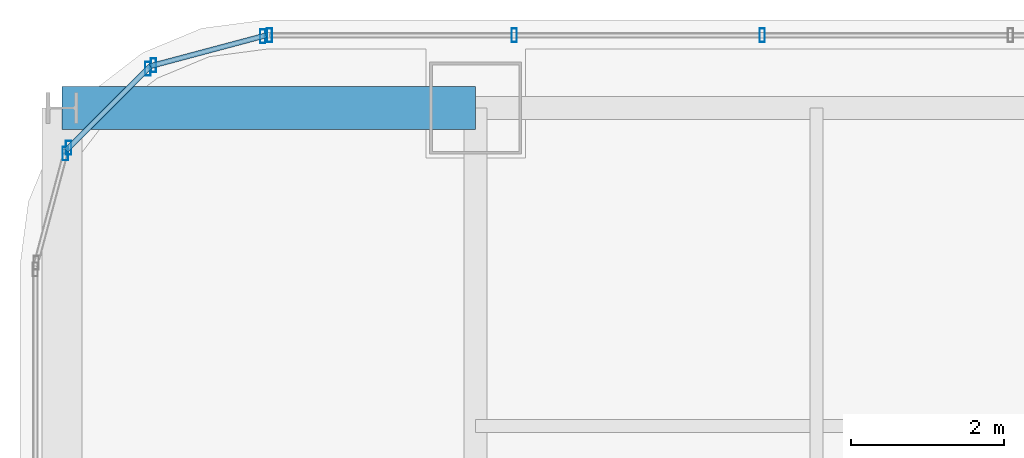
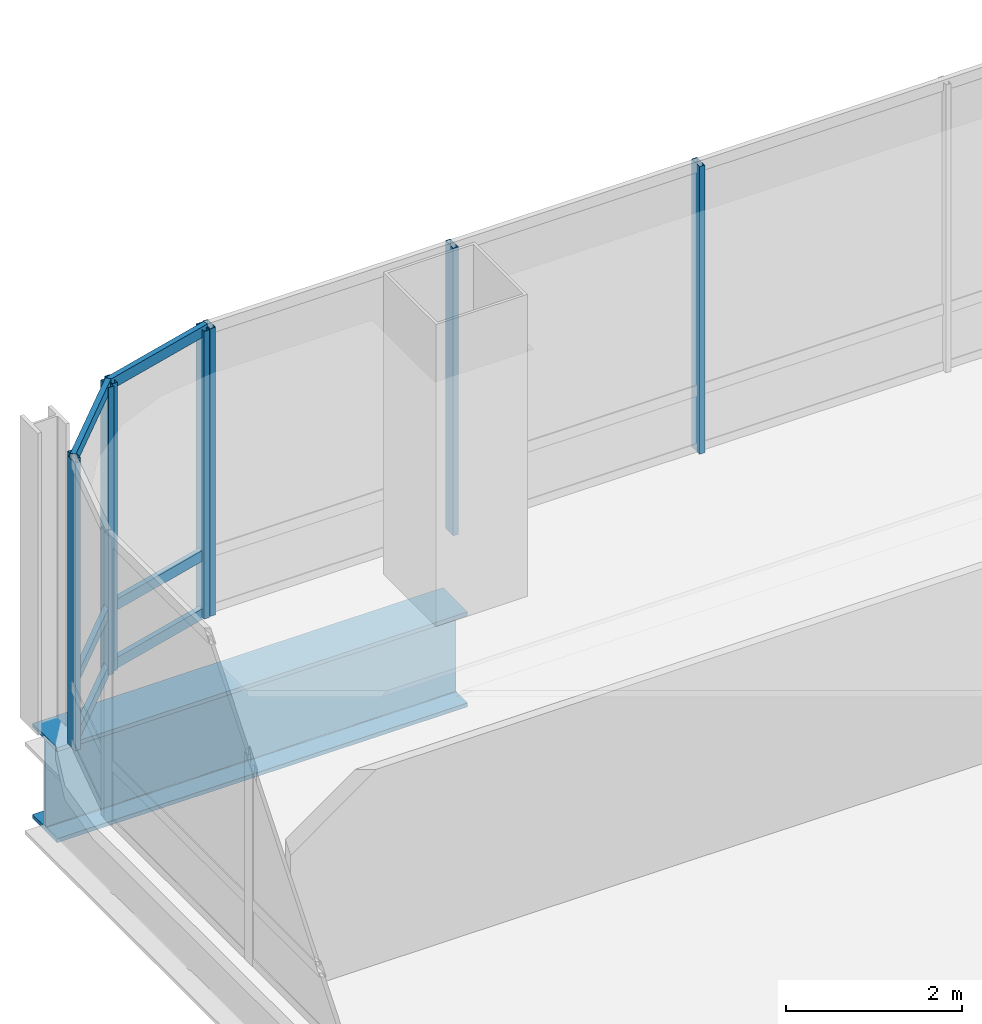
# One storey, part 25 of 43: 14 members, 1 beam, 4 elements without a shape of their own.
"""IFC4 building model written with IfcOpenShell, lengths in metres."""

import ifcopenshell
import ifcopenshell.guid

model = None  # the IFC model being written
_history = None  # IfcOwnerHistory: only IFC2X3 demands one
_inside = {}  # id of a spatial element -> (the spatial element, [elements in it])
_under = {}  # id of a project, library or spatial element -> (it, [spatial elements below it])
_declared = {}  # id of a project -> (the project, [libraries it declares])
_typed = {}  # id of a type object -> (the type object, [elements of that type])
_made_of = {}  # id of a material, layer set ... -> (it, [elements and type objects made of it])


def new_model(schema):
    """Start an empty IFC model of exactly this schema.

    Asked for "IFC4X3", IfcOpenShell would pick the latest addendum, in which some entities
    have other attributes; the version numbers below select the first issue.
    IFC2X3 requires an IfcOwnerHistory on every rooted entity: one is made here for all.
    """
    global model, _history
    if schema == "IFC4X3":
        model = ifcopenshell.file(schema_version=(4, 3, 0, 0))
    else:
        model = ifcopenshell.file(schema=schema)
    _inside.clear()
    _under.clear()
    _declared.clear()
    _typed.clear()
    _made_of.clear()
    _history = None
    if model.schema == "IFC2X3":
        org = make("IfcOrganization", Name="unknown")
        user = make(
            "IfcPersonAndOrganization",
            ThePerson=make("IfcPerson", FamilyName="unknown"),
            TheOrganization=org,
        )
        app = make(
            "IfcApplication",
            ApplicationDeveloper=org,
            Version="unknown",
            ApplicationFullName="unknown",
            ApplicationIdentifier="unknown",
        )
        _history = make(
            "IfcOwnerHistory",
            OwningUser=user,
            OwningApplication=app,
            ChangeAction="ADDED",
            CreationDate=0,
        )
    return model


def make(cls, **values):
    """One entity of the class cls with the attributes given. An attribute that is None is left unset."""
    return model.create_entity(
        cls, **{name: value for name, value in values.items() if value is not None}
    )


def rooted(cls, **values):
    """An entity with a GlobalId (a new one), such as an element, a storey or a relation."""
    return make(cls, GlobalId=ifcopenshell.guid.new(), OwnerHistory=_history, **values)


def si_unit(unit_type, name, prefix=None):
    """IfcSIUnit, for example si_unit("LENGTHUNIT", "METRE", prefix="MILLI")."""
    return make("IfcSIUnit", UnitType=unit_type, Prefix=prefix, Name=name)


def assignment(units):
    """IfcUnitAssignment: the units of a project."""
    return None if units is None else make("IfcUnitAssignment", Units=units)


def point(xyz):
    """IfcCartesianPoint."""
    return None if xyz is None else make("IfcCartesianPoint", Coordinates=xyz)


def direction(xyz):
    """IfcDirection."""
    return None if xyz is None else make("IfcDirection", DirectionRatios=xyz)


def frame(location, z_axis=None, x_axis=None):
    """IfcAxis2Placement3D, a coordinate frame: its origin and axes. An axis left out is left unset."""
    return make(
        "IfcAxis2Placement3D",
        Location=point(location),
        Axis=direction(z_axis),
        RefDirection=direction(x_axis),
    )


def frame_2d(location, x_axis=None):
    """IfcAxis2Placement2D, a coordinate frame in the plane: its origin and x axis."""
    return make(
        "IfcAxis2Placement2D", Location=point(location), RefDirection=direction(x_axis)
    )


def origin():
    """The frame at (0, 0, 0) with its axes left unset."""
    return frame((0.0, 0.0, 0.0))


def origin_2d():
    """The frame at (0, 0) in the plane with its x axis left unset."""
    return frame_2d((0.0, 0.0))


def place(relative_to, where):
    """IfcLocalPlacement: puts the frame where relative to a parent placement (None: the world)."""
    return make(
        "IfcLocalPlacement", PlacementRelTo=relative_to, RelativePlacement=where
    )


def context(
    kind, dimensions, precision=None, world=None, true_north=None, identifier=None
):
    """IfcGeometricRepresentationContext, for example the 3D "Model" context."""
    return make(
        "IfcGeometricRepresentationContext",
        ContextIdentifier=identifier,
        ContextType=kind,
        CoordinateSpaceDimension=dimensions,
        Precision=precision,
        WorldCoordinateSystem=world,
        TrueNorth=true_north,
    )


def subcontext(parent, identifier, kind, view, scale=None):
    """IfcGeometricRepresentationSubContext, for example "Body" below "Model"."""
    return make(
        "IfcGeometricRepresentationSubContext",
        ContextIdentifier=identifier,
        ContextType=kind,
        ParentContext=parent,
        TargetScale=scale,
        TargetView=view,
    )


def project(units=None, contexts=None):
    """IfcProject with its units and contexts."""
    return rooted(
        "IfcProject",
        Name="project",
        RepresentationContexts=contexts,
        UnitsInContext=assignment(units),
    )


def spatial(cls, under=None, at=None, **own):
    """A site, building, storey or space (cls), placed at a placement, below another one or the project."""
    s = rooted(cls, ObjectPlacement=at, **own)
    if under is not None:
        _under.setdefault(under.id(), (under, []))[1].append(s)
    return s


def profile(cls, at=None, kind="AREA", **sizes):
    """A parametric profile (cls). Its sizes go by their IFC names, for example OverallWidth=200.0."""
    return make(cls, ProfileType=kind, Position=at, **sizes)


def hollow_rectangle(**sizes):
    """IfcRectangleHollowProfileDef."""
    return profile("IfcRectangleHollowProfileDef", **sizes)


def i_section(**sizes):
    """IfcIShapeProfileDef."""
    return profile("IfcIShapeProfileDef", **sizes)


def extrude(swept, where, along, depth):
    """IfcExtrudedAreaSolid: the profile swept, set in the frame where, extruded along a direction by depth."""
    return make(
        "IfcExtrudedAreaSolid",
        SweptArea=swept,
        Position=where,
        ExtrudedDirection=direction(along),
        Depth=depth,
    )


def shape(context_of_items, identifier, shape_type, items):
    """IfcShapeRepresentation: the items that make up one representation, for example the "Body"."""
    return make(
        "IfcShapeRepresentation",
        ContextOfItems=context_of_items,
        RepresentationIdentifier=identifier,
        RepresentationType=shape_type,
        Items=items,
    )


def material(Name=None, Category=None):
    """IfcMaterial."""
    return make("IfcMaterial", Name=Name, Category=Category)


def material_profile(
    of_material, cross_section, Name=None, Category=None, Priority=None
):
    """IfcMaterialProfile: a cross section and its material."""
    return make(
        "IfcMaterialProfile",
        Name=Name,
        Material=of_material,
        Profile=cross_section,
        Priority=Priority,
        Category=Category,
    )


def profile_set(profiles, Name=None, composite=None):
    """IfcMaterialProfileSet."""
    return make(
        "IfcMaterialProfileSet",
        Name=Name,
        MaterialProfiles=profiles,
        CompositeProfile=composite,
    )


def made_of(thing, what):
    """Note that an element or type object is made of a material, layer set ...; save() writes the relation."""
    if what is not None:
        _made_of.setdefault(what.id(), (what, []))[1].append(thing)
    return thing


def type_object(cls, material=None, **own):
    """A type object (cls), such as IfcWallType, which elements share."""
    return made_of(rooted(cls, **own), material)


def element(
    cls,
    number,
    at=None,
    inside=None,
    cuts=None,
    type_object=None,
    material=None,
    context=None,
    identifier="Body",
    shape_type=None,
    held_by="IfcProductDefinitionShape",
    body=None,
    shapes=None,
    **own,
):
    """One element of the class cls, such as IfcWall. Its Tag is "e" and its number.

    at: its placement. inside: the storey or other place that contains it. cuts: it is an
    opening in that element (IfcRelVoidsElement). A single representation is given by context,
    identifier, shape_type and body (its items); several are given by shapes. held_by: the class
    of the entity that holds the representations. save() writes the other relations.
    """
    e = rooted(cls, Tag="e%d" % number, ObjectPlacement=at, **own)
    if body is not None:
        shapes = [shape(context, identifier, shape_type, body)]
    if shapes is not None:
        e.Representation = make(held_by, Representations=shapes)
    if inside is not None:
        _inside.setdefault(inside.id(), (inside, []))[1].append(e)
    if cuts is not None:
        rooted(
            "IfcRelVoidsElement", RelatingBuildingElement=cuts, RelatedOpeningElement=e
        )
    if type_object is not None:
        _typed.setdefault(type_object.id(), (type_object, []))[1].append(e)
    return made_of(e, material)


def aggregate(whole, parts):
    """IfcRelAggregates: a whole, such as a stair, and the parts it consists of."""
    return rooted("IfcRelAggregates", RelatingObject=whole, RelatedObjects=parts)


def save(model, path):
    """Write the relations noted so far, then the file.

    IfcRelAggregates (storeys below a building ...), IfcRelContainedInSpatialStructure (elements
    in a storey), IfcRelDefinesByType, IfcRelAssociatesMaterial and IfcRelDeclares: one each for
    every whole, place, type object, material and project.
    """
    for whole, parts in _under.values():
        aggregate(whole, parts)
    for where, things in _inside.values():
        rooted(
            "IfcRelContainedInSpatialStructure",
            RelatedElements=things,
            RelatingStructure=where,
        )
    for kind, things in _typed.values():
        rooted("IfcRelDefinesByType", RelatedObjects=things, RelatingType=kind)
    for what, things in _made_of.values():
        rooted("IfcRelAssociatesMaterial", RelatedObjects=things, RelatingMaterial=what)
    for by, libraries in _declared.values():
        rooted("IfcRelDeclares", RelatingContext=by, RelatedDefinitions=libraries)
    model.write(path)


model = new_model("IFC4")

# Units and contexts
model_context = context("Model", 3, precision=1e-05, world=origin(), true_north=direction((0.0, 1.0)))
body_context = subcontext(model_context, "Body", "Model", "MODEL_VIEW")
ifc_project = project(units=[si_unit("LENGTHUNIT", "METRE"), si_unit("AREAUNIT", "SQUARE_METRE"), si_unit("VOLUMEUNIT", "CUBIC_METRE"), si_unit("PLANEANGLEUNIT", "RADIAN"), si_unit("MASSUNIT", "GRAM", prefix="KILO")], contexts=[model_context])

# Site, building, storey
site_placement = place(None, origin())
site = spatial("IfcSite", under=ifc_project, at=site_placement, CompositionType="ELEMENT")
building_placement = place(site_placement, origin())
building = spatial("IfcBuilding", under=site, at=building_placement, Name="Punatoya Terracotta Tower", CompositionType="ELEMENT")
storey_placement = place(building_placement, frame((0.0, 0.0, 321.60009765625)))
storey = spatial("IfcBuildingStorey", under=building, at=storey_placement, Name="L76", CompositionType="ELEMENT", Elevation=321.60009765625)

# Beam
ifc_material_1 = material(Name="Steel S460", Category="steel")
ifc_material_profile_1 = material_profile(ifc_material_1, i_section(OverallWidth=0.56005859375, OverallDepth=1.320068359375, WebThickness=0.035888671875, FlangeThickness=0.054931640625, FilletRadius=0.01806640625, at=origin_2d()))
ifc_profile_set_1 = profile_set([ifc_material_profile_1], Name="Steel S460")
beam_type = type_object("IfcBeamType", Name="BM-TG-BLK", PredefinedType="BEAM", material=ifc_profile_set_1)
beam_placement = place(storey_placement, frame((-24.5, 17.5, -0.860107421875), z_axis=(1.0, 0.0, 0.0), x_axis=(0.0, 1.0, 0.0)))
element("IfcBeam", 1, at=beam_placement, inside=storey, type_object=beam_type, Name="BM-L76-CANT-W4", PredefinedType="BEAM", context=body_context, shape_type="SweptSolid", body=[
    extrude(i_section(OverallWidth=0.56005859375, OverallDepth=1.320068359375, WebThickness=0.035888671875, FlangeThickness=0.054931640625, FilletRadius=0.01806640625, at=origin_2d()), origin(), (0.0, 0.0, 1.0), 5.39990234375),
])

# Curtain wall, members
ifc_material_2 = material(Name="Aluminium 6063-T6 + Double Low-E Glass", Category="aluminium")
curtain_wall_type = type_object("IfcCurtainWallType", Name="CW-OBS", PredefinedType="NOTDEFINED", material=ifc_material_2)
curtain_wall_1_placement = place(storey_placement, origin())
curtain_wall_1 = element("IfcCurtainWall", 2, at=curtain_wall_1_placement, inside=storey, type_object=curtain_wall_type, Name="L76 Curtain Wall CW-L76-N09-1", PredefinedType="NOTDEFINED")
ifc_material_3 = material(Name="Aluminium 6063-T6", Category="aluminium")
ifc_material_profile_2 = material_profile(ifc_material_3, hollow_rectangle(XDim=0.070068359375, YDim=0.179931640625, WallThickness=0.00390625, at=origin_2d()))
ifc_profile_set_2 = profile_set([ifc_material_profile_2], Name="Aluminium 6063-T6")
member_type_1 = type_object("IfcMemberType", Name="CW-MUL-M3", PredefinedType="MULLION", material=ifc_profile_set_2)
member_1_placement = place(storey_placement, frame((-15.35791015625, 18.449951171875, 0.0), z_axis=(0.0, 0.0, 1.0), x_axis=(1.0, 0.0, 0.0)))
member_1 = element("IfcMember", 3, at=member_1_placement, type_object=member_type_1, Name="CW-L76-N09-1 Mullion 10", PredefinedType="MULLION", context=body_context, shape_type="SweptSolid", body=[
    extrude(hollow_rectangle(XDim=0.070068359375, YDim=0.179931640625, WallThickness=0.00390625, at=origin_2d()), origin(), (0.0, 0.0, 1.0), 4.0),
])
member_2_placement = place(storey_placement, frame((-18.597412109375, 18.449951171875, 0.0), z_axis=(0.0, 0.0, 1.0), x_axis=(1.0, 0.0, 0.0)))
member_2 = element("IfcMember", 4, at=member_2_placement, type_object=member_type_1, Name="CW-L76-N09-1 Mullion 11", PredefinedType="MULLION", context=body_context, shape_type="SweptSolid", body=[
    extrude(hollow_rectangle(XDim=0.070068359375, YDim=0.179931640625, WallThickness=0.00390625, at=origin_2d()), origin(), (0.0, 0.0, 1.0), 4.0),
])
member_3_placement = place(storey_placement, frame((-21.7919921875, 18.449951171875, 0.0), z_axis=(0.0, 0.0, 1.0), x_axis=(1.0, 0.0, 0.0)))
member_3 = element("IfcMember", 5, at=member_3_placement, type_object=member_type_1, Name="CW-L76-N09-1 Mullion 12", PredefinedType="MULLION", context=body_context, shape_type="SweptSolid", body=[
    extrude(hollow_rectangle(XDim=0.070068359375, YDim=0.179931640625, WallThickness=0.00390625, at=origin_2d()), origin(), (0.0, 0.0, 1.0), 4.0),
])
aggregate(curtain_wall_1, [member_1, member_2, member_3])

curtain_wall_2_placement = place(storey_placement, origin())
curtain_wall_2 = element("IfcCurtainWall", 6, at=curtain_wall_2_placement, inside=storey, type_object=curtain_wall_type, Name="L76 Curtain Wall CW-L76-CRN10", PredefinedType="NOTDEFINED")
member_4_placement = place(storey_placement, frame((-21.88037109375, 18.4384765625, 0.0), z_axis=(0.0, 0.0, 1.0), x_axis=(1.0, 0.0, 0.0)))
member_4 = element("IfcMember", 7, at=member_4_placement, type_object=member_type_1, Name="CW-L76-CRN10 Mullion 00", PredefinedType="MULLION", context=body_context, shape_type="SweptSolid", body=[
    extrude(hollow_rectangle(XDim=0.070068359375, YDim=0.179931640625, WallThickness=0.00390625, at=origin_2d()), origin(), (0.0, 0.0, 1.0), 4.0),
])
member_5_placement = place(storey_placement, frame((-23.3056640625, 18.05810546875, 0.0), z_axis=(0.0, 0.0, 1.0), x_axis=(1.0, 0.0, 0.0)))
member_5 = element("IfcMember", 8, at=member_5_placement, type_object=member_type_1, Name="CW-L76-CRN10 Mullion 01", PredefinedType="MULLION", context=body_context, shape_type="SweptSolid", body=[
    extrude(hollow_rectangle(XDim=0.070068359375, YDim=0.179931640625, WallThickness=0.00390625, at=origin_2d()), origin(), (0.0, 0.0, 1.0), 4.0),
])

curtain_wall_3_placement = place(storey_placement, origin())
curtain_wall_3 = element("IfcCurtainWall", 9, at=curtain_wall_3_placement, inside=storey, type_object=curtain_wall_type, Name="L76 Curtain Wall CW-L76-CRN11", PredefinedType="NOTDEFINED")
member_6_placement = place(storey_placement, frame((-23.380859375, 18.014892578125, 0.0), z_axis=(0.0, 0.0, 1.0), x_axis=(1.0, 0.0, 0.0)))
member_6 = element("IfcMember", 10, at=member_6_placement, type_object=member_type_1, Name="CW-L76-CRN11 Mullion 00", PredefinedType="MULLION", context=body_context, shape_type="SweptSolid", body=[
    extrude(hollow_rectangle(XDim=0.070068359375, YDim=0.179931640625, WallThickness=0.00390625, at=origin_2d()), origin(), (0.0, 0.0, 1.0), 4.0),
])
member_7_placement = place(storey_placement, frame((-24.414794921875, 16.98095703125, 0.0), z_axis=(0.0, 0.0, 1.0), x_axis=(1.0, 0.0, 0.0)))
member_7 = element("IfcMember", 11, at=member_7_placement, type_object=member_type_1, Name="CW-L76-CRN11 Mullion 01", PredefinedType="MULLION", context=body_context, shape_type="SweptSolid", body=[
    extrude(hollow_rectangle(XDim=0.070068359375, YDim=0.179931640625, WallThickness=0.00390625, at=origin_2d()), origin(), (0.0, 0.0, 1.0), 4.0),
])

# Curtain wall, member
curtain_wall_4_placement = place(storey_placement, origin())
curtain_wall_4 = element("IfcCurtainWall", 12, at=curtain_wall_4_placement, inside=storey, type_object=curtain_wall_type, Name="L76 Curtain Wall CW-L76-CRN12", PredefinedType="NOTDEFINED")
member_8_placement = place(storey_placement, frame((-24.458251953125, 16.905517578125, 0.0), z_axis=(0.0, 0.0, 1.0), x_axis=(1.0, 0.0, 0.0)))
member_8 = element("IfcMember", 13, at=member_8_placement, type_object=member_type_1, Name="CW-L76-CRN12 Mullion 00", PredefinedType="MULLION", context=body_context, shape_type="SweptSolid", body=[
    extrude(hollow_rectangle(XDim=0.070068359375, YDim=0.179931640625, WallThickness=0.00390625, at=origin_2d()), origin(), (0.0, 0.0, 1.0), 4.0),
])
aggregate(curtain_wall_4, [member_8])

# Member
ifc_material_profile_3 = material_profile(ifc_material_3, hollow_rectangle(XDim=0.068115234375, YDim=0.14990234375, WallThickness=0.00390625, at=origin_2d()))
ifc_profile_set_3 = profile_set([ifc_material_profile_3], Name="Aluminium 6063-T6")
member_type_2 = type_object("IfcMemberType", Name="CW-TRN-TYP", PredefinedType="USERDEFINED", material=ifc_profile_set_3)
member_9_placement = place(storey_placement, frame((-21.8369140625, 18.449951171875, 0.039794921875), z_axis=(-0.966224582397, -0.257701486942, 0.0), x_axis=(0.257701486942, -0.966224582397, 0.0)))
member_9 = element("IfcMember", 14, at=member_9_placement, type_object=member_type_2, Name="CW-L76-CRN10 Transom 1", ObjectType="TRANSOM", PredefinedType="USERDEFINED", context=body_context, shape_type="SweptSolid", body=[
    extrude(hollow_rectangle(XDim=0.068115234375, YDim=0.14990234375, WallThickness=0.00390625, at=origin_2d()), origin(), (0.0, 0.0, 1.0), 1.565185546875),
])

member_10_placement = place(storey_placement, frame((-21.8369140625, 18.449951171875, 0.849853515625), z_axis=(-0.966224582397, -0.257701486942, 0.0), x_axis=(0.257701486942, -0.966224582397, 0.0)))
member_10 = element("IfcMember", 15, at=member_10_placement, type_object=member_type_2, Name="CW-L76-CRN10 Transom 2", ObjectType="TRANSOM", PredefinedType="USERDEFINED", context=body_context, shape_type="SweptSolid", body=[
    extrude(hollow_rectangle(XDim=0.068115234375, YDim=0.14990234375, WallThickness=0.00390625, at=origin_2d()), origin(), (0.0, 0.0, 1.0), 1.565185546875),
])

member_11_placement = place(storey_placement, frame((-21.8369140625, 18.449951171875, 3.9599609375), z_axis=(-0.966224582397, -0.257701486942, 0.0), x_axis=(0.257701486942, -0.966224582397, 0.0)))
member_11 = element("IfcMember", 16, at=member_11_placement, type_object=member_type_2, Name="CW-L76-CRN10 Transom 3", ObjectType="TRANSOM", PredefinedType="USERDEFINED", context=body_context, shape_type="SweptSolid", body=[
    extrude(hollow_rectangle(XDim=0.068115234375, YDim=0.14990234375, WallThickness=0.00390625, at=origin_2d()), origin(), (0.0, 0.0, 1.0), 1.565185546875),
])

aggregate(curtain_wall_2, [member_4, member_5, member_9, member_10, member_11])

member_12_placement = place(storey_placement, frame((-23.34912109375, 18.046630859375, 0.039794921875), z_axis=(-0.707106781187, -0.707106781187, 0.0), x_axis=(0.707106781187, -0.707106781187, 0.0)))
member_12 = element("IfcMember", 17, at=member_12_placement, type_object=member_type_2, Name="CW-L76-CRN11 Transom 1", ObjectType="TRANSOM", PredefinedType="USERDEFINED", context=body_context, shape_type="SweptSolid", body=[
    extrude(hollow_rectangle(XDim=0.068115234375, YDim=0.14990234375, WallThickness=0.00390625, at=origin_2d()), origin(), (0.0, 0.0, 1.0), 1.552001953125),
])

member_13_placement = place(storey_placement, frame((-23.34912109375, 18.046630859375, 0.849853515625), z_axis=(-0.707106781187, -0.707106781187, 0.0), x_axis=(0.707106781187, -0.707106781187, 0.0)))
member_13 = element("IfcMember", 18, at=member_13_placement, type_object=member_type_2, Name="CW-L76-CRN11 Transom 2", ObjectType="TRANSOM", PredefinedType="USERDEFINED", context=body_context, shape_type="SweptSolid", body=[
    extrude(hollow_rectangle(XDim=0.068115234375, YDim=0.14990234375, WallThickness=0.00390625, at=origin_2d()), origin(), (0.0, 0.0, 1.0), 1.552001953125),
])

member_14_placement = place(storey_placement, frame((-23.34912109375, 18.046630859375, 3.9599609375), z_axis=(-0.707106781187, -0.707106781187, 0.0), x_axis=(0.707106781187, -0.707106781187, 0.0)))
member_14 = element("IfcMember", 19, at=member_14_placement, type_object=member_type_2, Name="CW-L76-CRN11 Transom 3", ObjectType="TRANSOM", PredefinedType="USERDEFINED", context=body_context, shape_type="SweptSolid", body=[
    extrude(hollow_rectangle(XDim=0.068115234375, YDim=0.14990234375, WallThickness=0.00390625, at=origin_2d()), origin(), (0.0, 0.0, 1.0), 1.552001953125),
])

aggregate(curtain_wall_3, [member_6, member_7, member_12, member_13, member_14])

save(model, "model.ifc")
